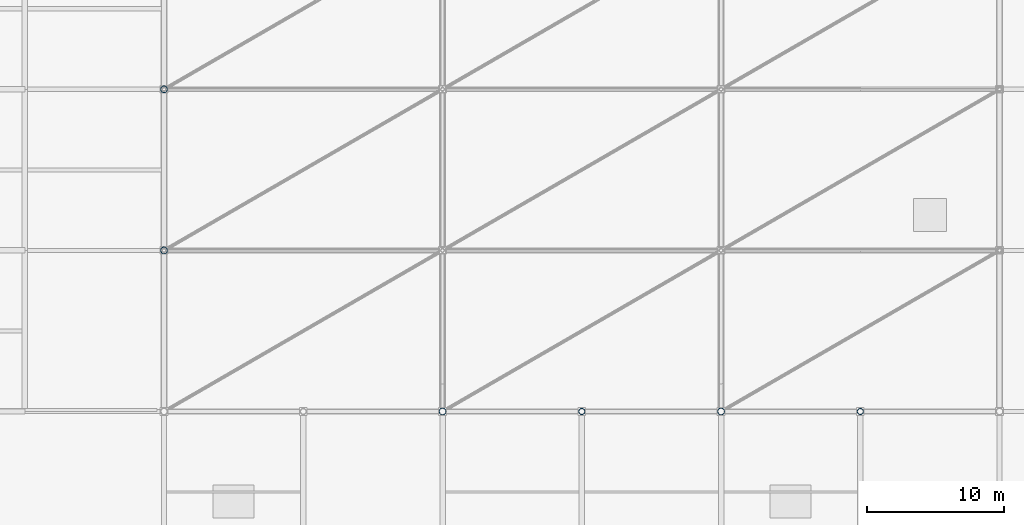
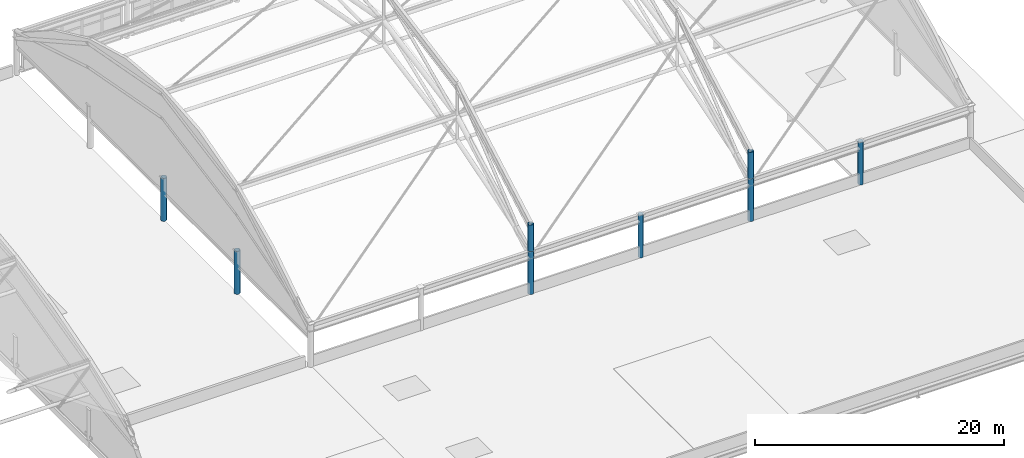
# One storey, part 10 of 135: 8 columns.
"""IFC4 building model written with IfcOpenShell, lengths in metres."""

from ifc_helpers import new_model, si_unit, direction, frame, origin, origin_2d, place, context, subcontext, project, spatial, hollow_circle, extrude, material, material_profile, profile_set, type_object, element, save


model = new_model("IFC4")

# Units and contexts
model_context = context("Model", 3, precision=1e-05, world=origin(), true_north=direction((0.0, 1.0)))
body_context = subcontext(model_context, "Body", "Model", "MODEL_VIEW")
ifc_project = project(units=[si_unit("LENGTHUNIT", "METRE"), si_unit("AREAUNIT", "SQUARE_METRE"), si_unit("VOLUMEUNIT", "CUBIC_METRE"), si_unit("PLANEANGLEUNIT", "RADIAN"), si_unit("MASSUNIT", "GRAM", prefix="KILO")], contexts=[model_context])

# Site, building, storey
site_placement = place(None, origin())
site = spatial("IfcSite", under=ifc_project, at=site_placement, CompositionType="ELEMENT")
building_placement = place(site_placement, origin())
building = spatial("IfcBuilding", under=site, at=building_placement, Name="Brelvane Convention Centre", CompositionType="ELEMENT")
storey_placement = place(building_placement, frame((0.0, 0.0, 15.0)))
storey = spatial("IfcBuildingStorey", under=building, at=storey_placement, Name="L03", CompositionType="ELEMENT", Elevation=15.0)

# Columns
ifc_material_1 = material(Name="Steel E450 (450 MPa)", Category="steel")
ifc_material_profile_1 = material_profile(ifc_material_1, hollow_circle(Radius=0.25390625, WallThickness=0.02001953125, at=origin_2d()), Name="CHS 508.0x20.0")
ifc_profile_set_1 = profile_set([ifc_material_profile_1], Name="Steel E450 (450 MPa)")
column_type_1 = type_object("IfcColumnType", Name="Steel Column C-ST2 (CHS 508.0x20.0)", PredefinedType="COLUMN", material=ifc_profile_set_1)
for number, where, z_axis, x_axis, name in (
    (1, (163.199951171875, 52.39990234375, 0.0), (0.0, 0.0, 1.0), (1.0, 0.0, 0.0), "Column 17-F (L03)"),
    (2, (163.199951171875, 64.199951171875, 0.0), (0.0, 0.0, 1.0), (1.0, 0.0, 0.0), "Column 17-G (L03)"),
    (3, (183.60009765625, 40.60009765625, 0.0), (0.0, 0.0, 1.0), (1.0, 0.0, 0.0), "Column 19-E (L03)"),
    (4, (204.0, 40.60009765625, 0.0), (0.0, 0.0, 1.0), (1.0, 0.0, 0.0), "Column 21-E (L03)"),
):
    element("IfcColumn", number, at=place(storey_placement, frame(where, z_axis=z_axis, x_axis=x_axis)), inside=storey, type_object=column_type_1, Name=name, PredefinedType="COLUMN", context=body_context, shape_type="SweptSolid", body=[
        extrude(hollow_circle(Radius=0.25390625, WallThickness=0.02001953125, at=origin_2d()), origin(), (0.0, 0.0, 1.0), 4.199951171875),
    ])
for number, where, z_axis, x_axis, name in (
    (5, (183.60009765625, 40.60009765625, 4.199951171875), (0.0, 0.0, 1.0), (1.0, 0.0, 0.0), "EXO_PLEN Exoskeletal Eaves Mast 2-S"),
    (6, (204.0, 40.60009765625, 4.199951171875), (0.0, 0.0, 1.0), (1.0, 0.0, 0.0), "EXO_PLEN Exoskeletal Eaves Mast 3-S"),
):
    element("IfcColumn", number, at=place(storey_placement, frame(where, z_axis=z_axis, x_axis=x_axis)), inside=storey, type_object=column_type_1, Name=name, PredefinedType="COLUMN", context=body_context, shape_type="SweptSolid", body=[
        extrude(hollow_circle(Radius=0.25390625, WallThickness=0.02001953125, at=origin_2d()), origin(), (0.0, 0.0, 1.0), 2.60009765625),
    ])
ifc_material_2 = material(Name="Steel E450 (450 MPa)", Category="steel")
ifc_material_profile_2 = material_profile(ifc_material_2, hollow_circle(Radius=0.228515625, WallThickness=0.02001953125, at=origin_2d()), Name="CHS 457.0x20.0")
ifc_profile_set_2 = profile_set([ifc_material_profile_2], Name="Steel E450 (450 MPa)")
column_type_2 = type_object("IfcColumnType", Name="Steel Column C-ST3 (CHS 457.0x20.0)", PredefinedType="COLUMN", material=ifc_profile_set_2)
for number, where, z_axis, x_axis, name in (
    (7, (193.800048828125, 40.60009765625, 0.0), (0.0, 0.0, 1.0), (1.0, 0.0, 0.0), "Column 20-E (L03)"),
    (8, (214.199951171875, 40.60009765625, 0.0), (0.0, 0.0, 1.0), (1.0, 0.0, 0.0), "Column 22-E (L03)"),
):
    element("IfcColumn", number, at=place(storey_placement, frame(where, z_axis=z_axis, x_axis=x_axis)), inside=storey, type_object=column_type_2, Name=name, PredefinedType="COLUMN", context=body_context, shape_type="SweptSolid", body=[
        extrude(hollow_circle(Radius=0.228515625, WallThickness=0.02001953125, at=origin_2d()), origin(), (0.0, 0.0, 1.0), 4.199951171875),
    ])

save(model, "model.ifc")
